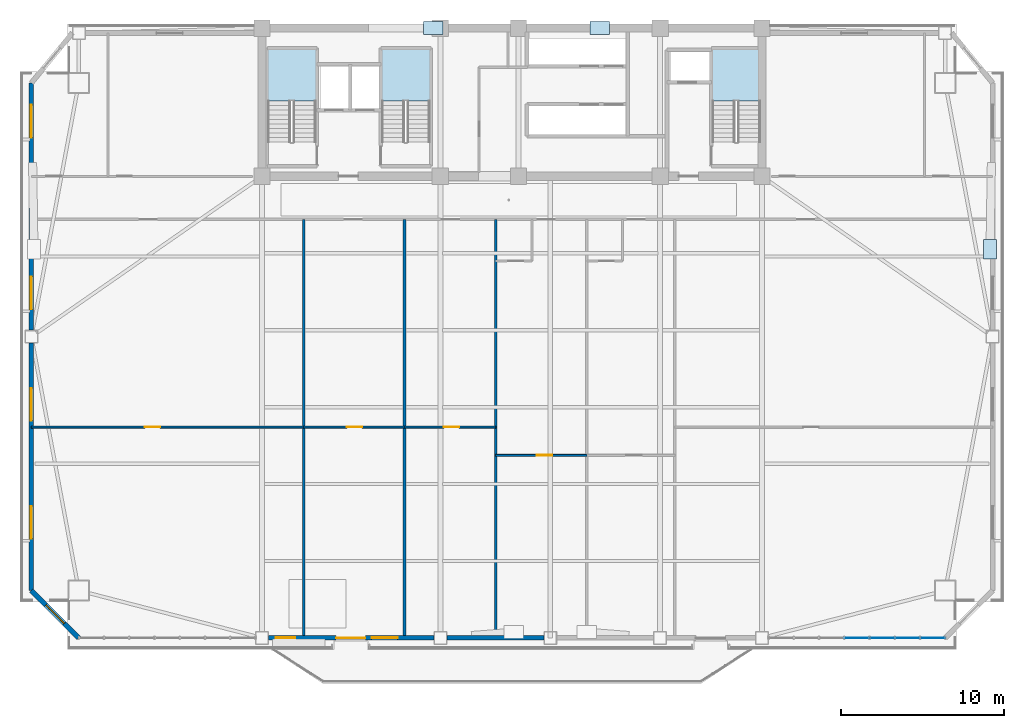
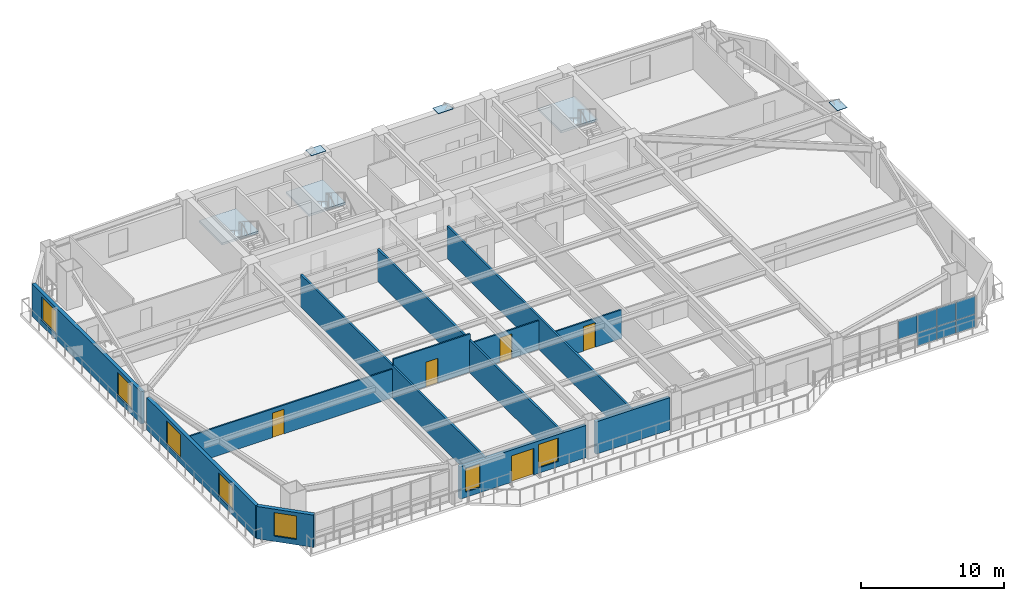
# One storey, part 7 of 16: 12 walls, 10 plates, 7 windows, 5 doors, 3 slabs, 12 openings, 4 elements without a shape of their own.
"""IFC4 building model written with IfcOpenShell, lengths in metres."""

from ifc_helpers import new_model, si_unit, direction, frame, frame_2d, origin, origin_2d, place, context, subcontext, project, spatial, polyline, rectangle, outline, extrude, source, transform, mapped, material, layer, layer_set, type_object, element, fill, aggregate, save


model = new_model("IFC4")

# Units and contexts
model_context = context("Model", 3, precision=1e-05, world=origin(), true_north=direction((0.0, 1.0)))
body_context = subcontext(model_context, "Body", "Model", "MODEL_VIEW")
ifc_project = project(units=[si_unit("LENGTHUNIT", "METRE"), si_unit("AREAUNIT", "SQUARE_METRE"), si_unit("VOLUMEUNIT", "CUBIC_METRE"), si_unit("PLANEANGLEUNIT", "RADIAN"), si_unit("MASSUNIT", "GRAM", prefix="KILO")], contexts=[model_context])

# Site, building, storey
site_placement = place(None, origin())
site = spatial("IfcSite", under=ifc_project, at=site_placement, CompositionType="ELEMENT")
building_placement = place(site_placement, origin())
building = spatial("IfcBuilding", under=site, at=building_placement, Name="Giltprow Tower", CompositionType="ELEMENT")
storey_placement = place(building_placement, frame((0.0, 0.0, 163.199951171875)))
storey = spatial("IfcBuildingStorey", under=building, at=storey_placement, Name="L40", CompositionType="ELEMENT", Elevation=163.199951171875)

# Stair, slab
ifc_material_1 = material(Name="Concrete C40", Category="concrete")
stair_type_1 = type_object("IfcStairType", Name="STR-ST-1", PredefinedType="HALF_TURN_STAIR", material=ifc_material_1)
stair_1_placement = place(storey_placement, origin())
stair_1 = element("IfcStair", 1, at=stair_1_placement, inside=storey, type_object=stair_type_1, Name="L40 Core Exit Stair ST-1", PredefinedType="HALF_TURN_STAIR")
ifc_layer_1 = layer(ifc_material_1, 0.179931640625, Name="Concrete C40")
ifc_layer_set_1 = layer_set([ifc_layer_1], Name="Concrete C40")
slab_type_1 = type_object("IfcSlabType", Name="SLD-ST-1", PredefinedType="LANDING", material=ifc_layer_set_1)
slab_1_placement = place(storey_placement, frame((0.0, 0.0, 1.570068359375)))
slab_1 = element("IfcSlab", 2, at=slab_1_placement, type_object=slab_type_1, Name="ST-1 landing 1", PredefinedType="LANDING", context=body_context, shape_type="SweptSolid", body=[
    extrude(outline(polyline([(23.159912109375, 42.070068359375), (23.159912109375, 45.25), (20.199951171875, 45.25), (20.199951171875, 42.070068359375), (23.159912109375, 42.070068359375)])), origin(), (0.0, 0.0, 1.0), 0.179931640625),
])
aggregate(stair_1, [slab_1])

stair_type_2 = type_object("IfcStairType", Name="STR-ST-2", PredefinedType="HALF_TURN_STAIR", material=ifc_material_1)
stair_2_placement = place(storey_placement, origin())
stair_2 = element("IfcStair", 3, at=stair_2_placement, inside=storey, type_object=stair_type_2, Name="L40 Core Exit Stair ST-2", PredefinedType="HALF_TURN_STAIR")
ifc_layer_2 = layer(ifc_material_1, 0.18798828125, Name="Concrete C40")
ifc_layer_set_2 = layer_set([ifc_layer_2], Name="Concrete C40")
slab_type_2 = type_object("IfcSlabType", Name="SLD-ST-2", PredefinedType="LANDING", material=ifc_layer_set_2)
slab_2_placement = place(storey_placement, frame((0.0, 0.0, 1.56201171875)))
slab_2 = element("IfcSlab", 4, at=slab_2_placement, type_object=slab_type_2, Name="ST-2 landing 1", PredefinedType="LANDING", context=body_context, shape_type="SweptSolid", body=[
    extrude(outline(polyline([(30.159912109375, 42.070068359375), (30.159912109375, 45.25), (27.199951171875, 45.25), (27.199951171875, 42.070068359375), (30.159912109375, 42.070068359375)])), origin(), (0.0, 0.0, 1.0), 0.18798828125),
])
aggregate(stair_2, [slab_2])

stair_type_3 = type_object("IfcStairType", Name="STR-ST-3", PredefinedType="HALF_TURN_STAIR", material=ifc_material_1)
stair_3_placement = place(storey_placement, origin())
stair_3 = element("IfcStair", 5, at=stair_3_placement, inside=storey, type_object=stair_type_3, Name="L40 Core Exit Stair ST-3", PredefinedType="HALF_TURN_STAIR")
ifc_layer_3 = layer(ifc_material_1, 0.196044921875, Name="Concrete C40")
ifc_layer_set_3 = layer_set([ifc_layer_3], Name="Concrete C40")
slab_type_3 = type_object("IfcSlabType", Name="SLD-ST-3", PredefinedType="LANDING", material=ifc_layer_set_3)
slab_3_placement = place(storey_placement, frame((0.0, 0.0, 1.553955078125)))
slab_3 = element("IfcSlab", 6, at=slab_3_placement, type_object=slab_type_3, Name="ST-3 landing 1", PredefinedType="LANDING", context=body_context, shape_type="SweptSolid", body=[
    extrude(outline(polyline([(50.4599609375, 42.070068359375), (50.4599609375, 45.25), (47.5, 45.25), (47.5, 42.070068359375), (50.4599609375, 42.070068359375)])), origin(), (0.0, 0.0, 1.0), 0.196044921875),
])
aggregate(stair_3, [slab_3])

# Plates
ifc_material_2 = material(Name="Structural steel Q420GJC", Category="steel")
plate_type_1 = type_object("IfcPlateType", Name="PLT-CAP-SEAL", PredefinedType="USERDEFINED", material=ifc_material_2)
shared_shape_1 = source(origin(), body_context, "Body", "SweptSolid", [
    extrude(rectangle(XDim=1.199951171875, YDim=0.800048828125, at=origin_2d()), origin(), (0.0, 0.0, 1.0), 0.034912109375),
])
for number, where, z_axis, x_axis, name in (
    (7, (30.35009765625, 46.550048828125, 3.3427734375), (0.0, 0.0, 1.0), (1.0, 0.0, 0.0), "Mega-Brace Node L40-N-LB"),
    (8, (40.5830078125, 46.550048828125, 3.3427734375), (0.0, 0.0, 1.0), (1.0, 0.0, 0.0), "Mega-Brace Node L40-N-RB"),
    (9, (64.55908203125, 32.970947265625, 3.482421875), (0.0, 0.0, 1.0), (0.0, 1.0, 0.0), "Mega-Brace Node L40-E-RB"),
):
    element("IfcPlate", number, at=place(storey_placement, frame(where, z_axis=z_axis, x_axis=x_axis)), inside=storey, type_object=plate_type_1, Name=name, ObjectType="SPLICE", PredefinedType="USERDEFINED", context=body_context, shape_type="MappedRepresentation", body=[
        mapped(shared_shape_1, transform((0.0, 0.0, 0.0), x_axis=(1.0, 0.0, 0.0), y_axis=(0.0, 1.0, 0.0), z_axis=(0.0, 0.0, 1.0), scale=1.0)),
    ])

# Curtain wall, plates
ifc_material_3 = material(Name="Anodized bronze", Category="metal")
ifc_layer_4 = layer(ifc_material_3, 0.179931640625, Name="Anodized bronze")
ifc_layer_set_4 = layer_set([ifc_layer_4], Name="Anodized bronze")
curtain_wall_type = type_object("IfcCurtainWallType", Name="CW-HTL-BRONZE", PredefinedType="NOTDEFINED", material=ifc_layer_set_4)
curtain_wall_placement = place(storey_placement, origin())
curtain_wall = element("IfcCurtainWall", 10, at=curtain_wall_placement, inside=storey, type_object=curtain_wall_type, Name="L40 South Recessed Curtain Wall 6", PredefinedType="NOTDEFINED")
ifc_material_4 = material(Name="Insulated glass", Category="glass")
plate_type_2 = type_object("IfcPlateType", Name="CW-PANEL-IGU-28", PredefinedType="CURTAIN_PANEL", material=ifc_material_4)
shared_shape_2 = source(origin(), body_context, "Body", "SweptSolid", [
    extrude(rectangle(XDim=1.52001953125, YDim=0.028076171875, at=origin_2d()), origin(), (0.0, 0.0, 1.0), 1.0869140625),
])
plate_1_placement = place(storey_placement, frame((57.927001953125, 9.097900390625, 0.0546875), z_axis=(0.0, 0.0, 1.0), x_axis=(1.0, 0.0, 0.0)))
plate_1 = element("IfcPlate", 11, at=plate_1_placement, type_object=plate_type_2, Name="L40 South Recessed Curtain Wall 6 Glazing Panel 5-1", PredefinedType="CURTAIN_PANEL", context=body_context, shape_type="MappedRepresentation", body=[
    mapped(shared_shape_2, transform((0.0, 0.0, 0.0), x_axis=(1.0, 0.0, 0.0), y_axis=(0.0, 1.0, 0.0), z_axis=(0.0, 0.0, 1.0), scale=1.0)),
])
plate_2_placement = place(storey_placement, frame((59.47705078125, 9.097900390625, 0.0546875), z_axis=(0.0, 0.0, 1.0), x_axis=(1.0, 0.0, 0.0)))
plate_2 = element("IfcPlate", 12, at=plate_2_placement, type_object=plate_type_2, Name="L40 South Recessed Curtain Wall 6 Glazing Panel 6-1", PredefinedType="CURTAIN_PANEL", context=body_context, shape_type="MappedRepresentation", body=[
    mapped(shared_shape_2, transform((0.0, 0.0, 0.0), x_axis=(1.0, 0.0, 0.0), y_axis=(0.0, 1.0, 0.0), z_axis=(0.0, 0.0, 1.0), scale=1.0)),
])
plate_3_placement = place(storey_placement, frame((61.028076171875, 9.097900390625, 0.0546875), z_axis=(0.0, 0.0, 1.0), x_axis=(1.0, 0.0, 0.0)))
plate_3 = element("IfcPlate", 13, at=plate_3_placement, type_object=plate_type_2, Name="L40 South Recessed Curtain Wall 6 Glazing Panel 7-1", PredefinedType="CURTAIN_PANEL", context=body_context, shape_type="MappedRepresentation", body=[
    mapped(shared_shape_2, transform((0.0, 0.0, 0.0), x_axis=(1.0, 0.0, 0.0), y_axis=(0.0, 1.0, 0.0), z_axis=(0.0, 0.0, 1.0), scale=1.0)),
])
shared_shape_3 = source(origin(), body_context, "Body", "SweptSolid", [
    extrude(rectangle(XDim=1.52001953125, YDim=0.028076171875, at=origin_2d()), origin(), (0.0, 0.0, 1.0), 1.527099609375),
])
plate_4_placement = place(storey_placement, frame((56.376953125, 9.097900390625, 1.16845703125), z_axis=(0.0, 0.0, 1.0), x_axis=(1.0, 0.0, 0.0)))
plate_4 = element("IfcPlate", 14, at=plate_4_placement, type_object=plate_type_2, Name="L40 South Recessed Curtain Wall 6 Glazing Panel 4-2", PredefinedType="CURTAIN_PANEL", context=body_context, shape_type="MappedRepresentation", body=[
    mapped(shared_shape_3, transform((0.0, 0.0, 0.0), x_axis=(1.0, 0.0, 0.0), y_axis=(0.0, 1.0, 0.0), z_axis=(0.0, 0.0, 1.0), scale=1.0)),
])
plate_5_placement = place(storey_placement, frame((57.927001953125, 9.097900390625, 1.16845703125), z_axis=(0.0, 0.0, 1.0), x_axis=(1.0, 0.0, 0.0)))
plate_5 = element("IfcPlate", 15, at=plate_5_placement, type_object=plate_type_2, Name="L40 South Recessed Curtain Wall 6 Glazing Panel 5-2", PredefinedType="CURTAIN_PANEL", context=body_context, shape_type="MappedRepresentation", body=[
    mapped(shared_shape_3, transform((0.0, 0.0, 0.0), x_axis=(1.0, 0.0, 0.0), y_axis=(0.0, 1.0, 0.0), z_axis=(0.0, 0.0, 1.0), scale=1.0)),
])
plate_6_placement = place(storey_placement, frame((59.47705078125, 9.097900390625, 1.16845703125), z_axis=(0.0, 0.0, 1.0), x_axis=(1.0, 0.0, 0.0)))
plate_6 = element("IfcPlate", 16, at=plate_6_placement, type_object=plate_type_2, Name="L40 South Recessed Curtain Wall 6 Glazing Panel 6-2", PredefinedType="CURTAIN_PANEL", context=body_context, shape_type="MappedRepresentation", body=[
    mapped(shared_shape_3, transform((0.0, 0.0, 0.0), x_axis=(1.0, 0.0, 0.0), y_axis=(0.0, 1.0, 0.0), z_axis=(0.0, 0.0, 1.0), scale=1.0)),
])
plate_7_placement = place(storey_placement, frame((61.028076171875, 9.097900390625, 1.16845703125), z_axis=(0.0, 0.0, 1.0), x_axis=(1.0, 0.0, 0.0)))
plate_7 = element("IfcPlate", 17, at=plate_7_placement, type_object=plate_type_2, Name="L40 South Recessed Curtain Wall 6 Glazing Panel 7-2", PredefinedType="CURTAIN_PANEL", context=body_context, shape_type="MappedRepresentation", body=[
    mapped(shared_shape_3, transform((0.0, 0.0, 0.0), x_axis=(1.0, 0.0, 0.0), y_axis=(0.0, 1.0, 0.0), z_axis=(0.0, 0.0, 1.0), scale=1.0)),
])
aggregate(curtain_wall, [plate_4, plate_1, plate_5, plate_2, plate_6, plate_3, plate_7])

# Wall, opening, window
ifc_material_5 = material(Name="Precast concrete C40", Category="concrete")
ifc_layer_5 = layer(ifc_material_5, 0.300048828125, Name="Precast concrete C40")
ifc_layer_set_5 = layer_set([ifc_layer_5], Name="Precast concrete C40")
wall_type_1 = type_object("IfcWallType", Name="EW-NOTCH-CHAMFER-300", PredefinedType="SOLIDWALL", material=ifc_layer_set_5)
wall_1_placement = place(storey_placement, frame((5.68408203125, 12.010986328125, 0.0), z_axis=(0.0, 0.0, 1.0), x_axis=(0.707077148634, -0.707136412497, 0.0)))
wall_1 = element("IfcWall", 18, at=wall_1_placement, inside=storey, type_object=wall_type_1, Name="L40 Corner Notch Wall SW", PredefinedType="SOLIDWALL", context=body_context, shape_type="SweptSolid", body=[
    extrude(rectangle(XDim=4.11962890625, YDim=0.300048828125, at=frame_2d((2.059814453125, 0.0))), origin(), (0.0, 0.0, 1.0), 2.75),
])
opening_1_placement = place(wall_1_placement, frame((1.260009765625, 0.0, 0.449951171875)))
opening_1 = element("IfcOpeningElement", 19, at=opening_1_placement, cuts=wall_1, Name="Opening WN17", PredefinedType="OPENING", context=body_context, shape_type="SweptSolid", body=[
    extrude(rectangle(XDim=1.60009765625, YDim=2.0, at=frame_2d((0.800048828125, 1.0))), frame((0.0, 0.159912109375, 0.0), z_axis=(0.0, -1.0, 0.0), x_axis=(1.0, 0.0, 0.0)), (0.0, 0.0, 1.0), 0.320068359375),
])
window_type_1 = type_object("IfcWindowType", Name="WN-COR-1600x2000", PartitioningType="SINGLE_PANEL", PredefinedType="WINDOW", material=ifc_material_4)
shared_shape_4 = source(origin(), body_context, "Body", "SweptSolid", [
    extrude(rectangle(XDim=1.60009765625, YDim=2.0, at=frame_2d((0.800048828125, 1.0))), frame((0.0, 0.030029296875, 0.0), z_axis=(0.0, -1.0, 0.0), x_axis=(1.0, 0.0, 0.0)), (0.0, 0.0, 1.0), 0.06005859375),
])
window_1_placement = place(opening_1_placement, origin())
window_1 = element("IfcWindow", 20, at=window_1_placement, inside=storey, type_object=window_type_1, Name="L40 Corner Notch Window SW", OverallHeight=2.0, OverallWidth=1.60009765625, PartitioningType="SINGLE_PANEL", PredefinedType="WINDOW", context=body_context, shape_type="MappedRepresentation", body=[
    mapped(shared_shape_4, transform((0.0, 0.0, 0.0), x_axis=(1.0, 0.0, 0.0), y_axis=(0.0, 1.0, 0.0), z_axis=(0.0, 0.0, 1.0), scale=1.0)),
])
fill(opening_1, window_1)

# Wall, openings, windows, door
ifc_layer_6 = layer(ifc_material_5, 0.280029296875, Name="Precast concrete C40")
ifc_layer_set_6 = layer_set([ifc_layer_6], Name="Precast concrete C40")
wall_type_2 = type_object("IfcWallType", Name="EW-TOW-BRONZE-280", PredefinedType="SOLIDWALL", material=ifc_layer_set_6)
wall_2_placement = place(storey_placement, frame((20.25, 9.097900390625, 0.0), z_axis=(0.0, 0.0, 1.0), x_axis=(1.0, 0.0, 0.0)))
wall_2 = element("IfcWall", 21, at=wall_2_placement, inside=storey, type_object=wall_type_2, Name="L40 South Expressed Frame Wall 2", PredefinedType="SOLIDWALL", context=body_context, shape_type="SweptSolid", body=[
    extrude(rectangle(XDim=10.14990234375, YDim=0.280029296875, at=frame_2d((5.074951171875, 0.0))), origin(), (0.0, 0.0, 1.0), 2.75),
])
opening_2_placement = place(wall_2_placement, frame((4.14990234375, 0.0, 0.0)))
opening_2 = element("IfcOpeningElement", 22, at=opening_2_placement, cuts=wall_2, Name="Opening ED25", PredefinedType="OPENING", context=body_context, shape_type="SweptSolid", body=[
    extrude(rectangle(XDim=1.800048828125, YDim=2.25, at=frame_2d((0.89990234375, 1.125))), frame((0.0, 0.14990234375, 0.0), z_axis=(0.0, -1.0, 0.0), x_axis=(1.0, 0.0, 0.0)), (0.0, 0.0, 1.0), 0.300048828125),
])
opening_3_placement = place(wall_2_placement, frame((0.429931640625, 0.0, 0.449951171875)))
opening_3 = element("IfcOpeningElement", 23, at=opening_3_placement, cuts=wall_2, Name="Opening WN11", PredefinedType="OPENING", context=body_context, shape_type="SweptSolid", body=[
    extrude(rectangle(XDim=1.199951171875, YDim=2.0, at=frame_2d((0.60009765625, 1.0))), frame((0.0, 0.14990234375, 0.0), z_axis=(0.0, -1.0, 0.0), x_axis=(1.0, 0.0, 0.0)), (0.0, 0.0, 1.0), 0.300048828125),
])
opening_4_placement = place(wall_2_placement, frame((6.330078125, 0.0, 0.449951171875)))
opening_4 = element("IfcOpeningElement", 24, at=opening_4_placement, cuts=wall_2, Name="Opening WN17", PredefinedType="OPENING", context=body_context, shape_type="SweptSolid", body=[
    extrude(rectangle(XDim=1.60009765625, YDim=2.0, at=frame_2d((0.800048828125, 1.0))), frame((0.0, 0.14990234375, 0.0), z_axis=(0.0, -1.0, 0.0), x_axis=(1.0, 0.0, 0.0)), (0.0, 0.0, 1.0), 0.300048828125),
])
window_2_placement = place(opening_4_placement, origin())
window_2 = element("IfcWindow", 25, at=window_2_placement, inside=storey, type_object=window_type_1, Name="L40 South Window 2B", OverallHeight=2.0, OverallWidth=1.60009765625, PartitioningType="SINGLE_PANEL", PredefinedType="WINDOW", context=body_context, shape_type="MappedRepresentation", body=[
    mapped(shared_shape_4, transform((0.0, 0.0, 0.0), x_axis=(1.0, 0.0, 0.0), y_axis=(0.0, 1.0, 0.0), z_axis=(0.0, 0.0, 1.0), scale=1.0)),
])
fill(opening_4, window_2)
ifc_material_6 = material(Name="Anodized bronze and glass", Category="glass")
door_type_1 = type_object("IfcDoorType", Name="DR-BALC-SLIDE-1800", OperationType="SLIDING_TO_LEFT", PredefinedType="DOOR", material=ifc_material_6)
shared_shape_5 = source(origin(), body_context, "Body", "SweptSolid", [
    extrude(rectangle(XDim=1.800048828125, YDim=2.25, at=frame_2d((0.89990234375, 1.125))), frame((0.0, 0.02490234375, 0.0), z_axis=(0.0, -1.0, 0.0), x_axis=(1.0, 0.0, 0.0)), (0.0, 0.0, 1.0), 0.050048828125),
])
door_1_placement = place(opening_2_placement, origin())
door_1 = element("IfcDoor", 26, at=door_1_placement, inside=storey, type_object=door_type_1, Name="L40 Waterfront Balcony Sliding Door 1", OperationType="SLIDING_TO_LEFT", OverallHeight=2.25, OverallWidth=1.800048828125, PredefinedType="DOOR", context=body_context, shape_type="MappedRepresentation", body=[
    mapped(shared_shape_5, transform((0.0, 0.0, 0.0), x_axis=(1.0, 0.0, 0.0), y_axis=(0.0, 1.0, 0.0), z_axis=(0.0, 0.0, 1.0), scale=1.0)),
])
fill(opening_2, door_1)
window_type_2 = type_object("IfcWindowType", Name="WN-LANCET-1200x2000", PartitioningType="SINGLE_PANEL", PredefinedType="WINDOW", material=ifc_material_4)
shared_shape_6 = source(origin(), body_context, "Body", "SweptSolid", [
    extrude(rectangle(XDim=1.199951171875, YDim=2.0, at=frame_2d((0.60009765625, 1.0))), frame((0.0, 0.030029296875, 0.0), z_axis=(0.0, -1.0, 0.0), x_axis=(1.0, 0.0, 0.0)), (0.0, 0.0, 1.0), 0.06005859375),
])
window_3_placement = place(opening_3_placement, origin())
window_3 = element("IfcWindow", 27, at=window_3_placement, inside=storey, type_object=window_type_2, Name="L40 South Window 2A", OverallHeight=2.0, OverallWidth=1.199951171875, PartitioningType="SINGLE_PANEL", PredefinedType="WINDOW", context=body_context, shape_type="MappedRepresentation", body=[
    mapped(shared_shape_6, transform((0.0, 0.0, 0.0), x_axis=(1.0, 0.0, 0.0), y_axis=(0.0, 1.0, 0.0), z_axis=(0.0, 0.0, 1.0), scale=1.0)),
])
fill(opening_3, window_3)

# Wall
wall_3_placement = place(storey_placement, frame((31.199951171875, 9.097900390625, 0.0), z_axis=(0.0, 0.0, 1.0), x_axis=(1.0, 0.0, 0.0)))
element("IfcWall", 28, at=wall_3_placement, inside=storey, type_object=wall_type_2, Name="L40 South Expressed Frame Wall 3", PredefinedType="SOLIDWALL", context=body_context, shape_type="SweptSolid", body=[
    extrude(rectangle(XDim=5.949951171875, YDim=0.280029296875, at=frame_2d((2.97509765625, 0.0))), origin(), (0.0, 0.0, 1.0), 2.75),
])

# Wall, openings, windows
wall_4_placement = place(storey_placement, frame((5.68408203125, 12.010986328125, 0.0), z_axis=(0.0, 0.0, 1.0), x_axis=(0.0, 1.0, 0.0)))
wall_4 = element("IfcWall", 29, at=wall_4_placement, inside=storey, type_object=wall_type_2, Name="L40 W Wing Masonry Wall 1", PredefinedType="SOLIDWALL", context=body_context, shape_type="SweptSolid", body=[
    extrude(rectangle(XDim=15.18798828125, YDim=0.280029296875, at=frame_2d((7.593994140625, 0.0))), origin(), (0.0, 0.0, 1.0), 2.75),
])
opening_5_placement = place(wall_4_placement, frame((3.18896484375, 0.0, 0.449951171875)))
opening_5 = element("IfcOpeningElement", 30, at=opening_5_placement, cuts=wall_4, Name="Opening WN21", PredefinedType="OPENING", context=body_context, shape_type="SweptSolid", body=[
    extrude(rectangle(XDim=2.0, YDim=2.0, at=frame_2d((1.0, 1.0))), frame((0.0, 0.14990234375, 0.0), z_axis=(0.0, -1.0, 0.0), x_axis=(1.0, 0.0, 0.0)), (0.0, 0.0, 1.0), 0.300048828125),
])
opening_6_placement = place(wall_4_placement, frame((10.43798828125, 0.0, 0.449951171875)))
opening_6 = element("IfcOpeningElement", 31, at=opening_6_placement, cuts=wall_4, Name="Opening WN21", PredefinedType="OPENING", context=body_context, shape_type="SweptSolid", body=[
    extrude(rectangle(XDim=2.0, YDim=2.0, at=frame_2d((1.0, 1.0))), frame((0.0, 0.14990234375, 0.0), z_axis=(0.0, -1.0, 0.0), x_axis=(1.0, 0.0, 0.0)), (0.0, 0.0, 1.0), 0.300048828125),
])
window_type_3 = type_object("IfcWindowType", Name="WN-HTL-2000x2000", PartitioningType="DOUBLE_PANEL_VERTICAL", PredefinedType="WINDOW", material=ifc_material_4)
shared_shape_7 = source(origin(), body_context, "Body", "SweptSolid", [
    extrude(rectangle(XDim=2.0, YDim=2.0, at=frame_2d((1.0, 1.0))), frame((0.0, 0.030029296875, 0.0), z_axis=(0.0, -1.0, 0.0), x_axis=(1.0, 0.0, 0.0)), (0.0, 0.0, 1.0), 0.06005859375),
])
window_4_placement = place(opening_5_placement, origin())
window_4 = element("IfcWindow", 32, at=window_4_placement, inside=storey, type_object=window_type_3, Name="L40 W Wing Window 1-1A", OverallHeight=2.0, OverallWidth=2.0, PartitioningType="SINGLE_PANEL", PredefinedType="WINDOW", context=body_context, shape_type="MappedRepresentation", body=[
    mapped(shared_shape_7, transform((0.0, 0.0, 0.0), x_axis=(1.0, 0.0, 0.0), y_axis=(0.0, 1.0, 0.0), z_axis=(0.0, 0.0, 1.0), scale=1.0)),
])
fill(opening_5, window_4)
window_5_placement = place(opening_6_placement, origin())
window_5 = element("IfcWindow", 33, at=window_5_placement, inside=storey, type_object=window_type_3, Name="L40 W Wing Window 1-1B", OverallHeight=2.0, OverallWidth=2.0, PartitioningType="SINGLE_PANEL", PredefinedType="WINDOW", context=body_context, shape_type="MappedRepresentation", body=[
    mapped(shared_shape_7, transform((0.0, 0.0, 0.0), x_axis=(1.0, 0.0, 0.0), y_axis=(0.0, 1.0, 0.0), z_axis=(0.0, 0.0, 1.0), scale=1.0)),
])
fill(opening_6, window_5)

wall_5_placement = place(storey_placement, frame((5.68408203125, 27.9990234375, 0.0), z_axis=(0.0, 0.0, 1.0), x_axis=(0.0, 1.0, 0.0)))
wall_5 = element("IfcWall", 34, at=wall_5_placement, inside=storey, type_object=wall_type_2, Name="L40 W Wing Masonry Wall 2", PredefinedType="SOLIDWALL", context=body_context, shape_type="SweptSolid", body=[
    extrude(rectangle(XDim=15.18798828125, YDim=0.280029296875, at=frame_2d((7.593994140625, 0.0))), origin(), (0.0, 0.0, 1.0), 2.75),
])
opening_7_placement = place(wall_5_placement, frame((1.285888671875, 0.0, 0.449951171875)))
opening_7 = element("IfcOpeningElement", 35, at=opening_7_placement, cuts=wall_5, Name="Opening WN21", PredefinedType="OPENING", context=body_context, shape_type="SweptSolid", body=[
    extrude(rectangle(XDim=2.0, YDim=2.0, at=frame_2d((1.0, 1.0))), frame((0.0, 0.14990234375, 0.0), z_axis=(0.0, -1.0, 0.0), x_axis=(1.0, 0.0, 0.0)), (0.0, 0.0, 1.0), 0.300048828125),
])
opening_8_placement = place(wall_5_placement, frame((11.833984375, 0.0, 0.449951171875)))
opening_8 = element("IfcOpeningElement", 36, at=opening_8_placement, cuts=wall_5, Name="Opening WN21", PredefinedType="OPENING", context=body_context, shape_type="SweptSolid", body=[
    extrude(rectangle(XDim=2.0, YDim=2.0, at=frame_2d((1.0, 1.0))), frame((0.0, 0.14990234375, 0.0), z_axis=(0.0, -1.0, 0.0), x_axis=(1.0, 0.0, 0.0)), (0.0, 0.0, 1.0), 0.300048828125),
])
window_6_placement = place(opening_7_placement, origin())
window_6 = element("IfcWindow", 37, at=window_6_placement, inside=storey, type_object=window_type_3, Name="L40 W Wing Window 2-1", OverallHeight=2.0, OverallWidth=2.0, PartitioningType="SINGLE_PANEL", PredefinedType="WINDOW", context=body_context, shape_type="MappedRepresentation", body=[
    mapped(shared_shape_7, transform((0.0, 0.0, 0.0), x_axis=(1.0, 0.0, 0.0), y_axis=(0.0, 1.0, 0.0), z_axis=(0.0, 0.0, 1.0), scale=1.0)),
])
fill(opening_7, window_6)
window_7_placement = place(opening_8_placement, origin())
window_7 = element("IfcWindow", 38, at=window_7_placement, inside=storey, type_object=window_type_3, Name="L40 W Wing Window 2-2", OverallHeight=2.0, OverallWidth=2.0, PartitioningType="SINGLE_PANEL", PredefinedType="WINDOW", context=body_context, shape_type="MappedRepresentation", body=[
    mapped(shared_shape_7, transform((0.0, 0.0, 0.0), x_axis=(1.0, 0.0, 0.0), y_axis=(0.0, 1.0, 0.0), z_axis=(0.0, 0.0, 1.0), scale=1.0)),
])
fill(opening_8, window_7)

# Walls
ifc_material_7 = material(Name="Gypsum stud partition", Category="gypsum")
ifc_layer_7 = layer(ifc_material_7, 0.159912109375, Name="Gypsum stud partition")
ifc_layer_set_7 = layer_set([ifc_layer_7], Name="Gypsum stud partition")
wall_type_3 = type_object("IfcWallType", Name="IW-DEMISE-160", PredefinedType="PARTITIONING", material=ifc_layer_set_7)
for number, where, z_axis, x_axis, name in (
    (39, (22.39990234375, 9.097900390625, 0.0), (0.0, 0.0, 1.0), (0.0, 1.0, 0.0), "L40 Hotel Demising Wall 1"),
    (40, (28.60009765625, 9.097900390625, 0.0), (0.0, 0.0, 1.0), (0.0, 1.0, 0.0), "L40 Hotel Demising Wall 2"),
    (41, (34.199951171875, 9.097900390625, 0.0), (0.0, 0.0, 1.0), (0.0, 1.0, 0.0), "L40 Hotel Demising Wall 3"),
):
    element("IfcWall", number, at=place(storey_placement, frame(where, z_axis=z_axis, x_axis=x_axis)), inside=storey, type_object=wall_type_3, Name=name, PredefinedType="PARTITIONING", context=body_context, shape_type="SweptSolid", body=[
        extrude(rectangle(XDim=25.7021484375, YDim=0.159912109375, at=frame_2d((12.85107421875, 0.0))), origin(), (0.0, 0.0, 1.0), 2.755126953125),
    ])

# Wall, opening, door
ifc_layer_8 = layer(ifc_material_7, 0.1201171875, Name="Gypsum stud partition")
ifc_layer_set_8 = layer_set([ifc_layer_8], Name="Gypsum stud partition")
wall_type_4 = type_object("IfcWallType", Name="IW-ROOM-120", PredefinedType="PARTITIONING", material=ifc_layer_set_8)
wall_6_placement = place(storey_placement, frame((5.68408203125, 22.049072265625, 0.0), z_axis=(0.0, 0.0, 1.0), x_axis=(1.0, 0.0, 0.0)))
wall_6 = element("IfcWall", 42, at=wall_6_placement, inside=storey, type_object=wall_type_4, Name="L40 Amenity Mid Wall 1", PredefinedType="PARTITIONING", context=body_context, shape_type="SweptSolid", body=[
    extrude(rectangle(XDim=16.7158203125, YDim=0.1201171875, at=frame_2d((8.35791015625, 0.0))), origin(), (0.0, 0.0, 1.0), 2.455078125),
])
opening_9_placement = place(wall_6_placement, frame((6.971923828125, 0.0, 0.0)))
opening_9 = element("IfcOpeningElement", 43, at=opening_9_placement, cuts=wall_6, Name="Opening ID11", PredefinedType="OPENING", context=body_context, shape_type="SweptSolid", body=[
    extrude(rectangle(XDim=0.949951171875, YDim=2.10009765625, at=frame_2d((0.47509765625, 1.050048828125))), frame((0.0, 0.070068359375, 0.0), z_axis=(0.0, -1.0, 0.0), x_axis=(1.0, 0.0, 0.0)), (0.0, 0.0, 1.0), 0.14013671875),
])
ifc_material_8 = material(Name="Engineered timber", Category="wood")
door_type_2 = type_object("IfcDoorType", Name="DR-ROOM-950", OperationType="SINGLE_SWING_RIGHT", PredefinedType="DOOR", material=ifc_material_8)
shared_shape_8 = source(origin(), body_context, "Body", "SweptSolid", [
    extrude(rectangle(XDim=0.949951171875, YDim=2.10009765625, at=frame_2d((0.47509765625, 1.050048828125))), frame((0.0, 0.02490234375, 0.0), z_axis=(0.0, -1.0, 0.0), x_axis=(1.0, 0.0, 0.0)), (0.0, 0.0, 1.0), 0.050048828125),
])
door_2_placement = place(opening_9_placement, origin())
door_2 = element("IfcDoor", 44, at=door_2_placement, inside=storey, type_object=door_type_2, Name="L40 Hotel Gift Shop 1 Inner Door", OperationType="SINGLE_SWING_LEFT", OverallHeight=2.10009765625, OverallWidth=0.949951171875, PredefinedType="DOOR", context=body_context, shape_type="MappedRepresentation", body=[
    mapped(shared_shape_8, transform((0.0, 0.0, 0.0), x_axis=(1.0, 0.0, 0.0), y_axis=(0.0, 1.0, 0.0), z_axis=(0.0, 0.0, 1.0), scale=1.0)),
])
fill(opening_9, door_2)

wall_7_placement = place(storey_placement, frame((22.39990234375, 22.049072265625, 0.0), z_axis=(0.0, 0.0, 1.0), x_axis=(1.0, 0.0, 0.0)))
wall_7 = element("IfcWall", 45, at=wall_7_placement, inside=storey, type_object=wall_type_4, Name="L40 Amenity Mid Wall 2", PredefinedType="PARTITIONING", context=body_context, shape_type="SweptSolid", body=[
    extrude(rectangle(XDim=6.2001953125, YDim=0.1201171875, at=frame_2d((3.10009765625, 0.0))), origin(), (0.0, 0.0, 1.0), 3.27001953125),
])
opening_10_placement = place(wall_7_placement, frame((2.64599609375, 0.0, 0.0)))
opening_10 = element("IfcOpeningElement", 46, at=opening_10_placement, cuts=wall_7, Name="Opening ID11", PredefinedType="OPENING", context=body_context, shape_type="SweptSolid", body=[
    extrude(rectangle(XDim=0.949951171875, YDim=2.10009765625, at=frame_2d((0.47509765625, 1.050048828125))), frame((0.0, 0.070068359375, 0.0), z_axis=(0.0, -1.0, 0.0), x_axis=(1.0, 0.0, 0.0)), (0.0, 0.0, 1.0), 0.14013671875),
])
door_3_placement = place(opening_10_placement, origin())
door_3 = element("IfcDoor", 47, at=door_3_placement, inside=storey, type_object=door_type_2, Name="L40 Luxury Watch Shop 2 Inner Door", OperationType="SINGLE_SWING_LEFT", OverallHeight=2.10009765625, OverallWidth=0.949951171875, PredefinedType="DOOR", context=body_context, shape_type="MappedRepresentation", body=[
    mapped(shared_shape_8, transform((0.0, 0.0, 0.0), x_axis=(1.0, 0.0, 0.0), y_axis=(0.0, 1.0, 0.0), z_axis=(0.0, 0.0, 1.0), scale=1.0)),
])
fill(opening_10, door_3)

wall_8_placement = place(storey_placement, frame((28.60009765625, 22.049072265625, 0.0), z_axis=(0.0, 0.0, 1.0), x_axis=(1.0, 0.0, 0.0)))
wall_8 = element("IfcWall", 48, at=wall_8_placement, inside=storey, type_object=wall_type_4, Name="L40 Amenity Mid Wall 3", PredefinedType="PARTITIONING", context=body_context, shape_type="SweptSolid", body=[
    extrude(rectangle(XDim=5.599853515625, YDim=0.1201171875, at=frame_2d((2.7998046875, 0.0))), origin(), (0.0, 0.0, 1.0), 2.455078125),
])
opening_11_placement = place(wall_8_placement, frame((2.406005859375, 0.0, 0.0)))
opening_11 = element("IfcOpeningElement", 49, at=opening_11_placement, cuts=wall_8, Name="Opening ID11", PredefinedType="OPENING", context=body_context, shape_type="SweptSolid", body=[
    extrude(rectangle(XDim=0.949951171875, YDim=2.10009765625, at=frame_2d((0.47509765625, 1.050048828125))), frame((0.0, 0.070068359375, 0.0), z_axis=(0.0, -1.0, 0.0), x_axis=(1.0, 0.0, 0.0)), (0.0, 0.0, 1.0), 0.14013671875),
])
door_4_placement = place(opening_11_placement, origin())
door_4 = element("IfcDoor", 50, at=door_4_placement, inside=storey, type_object=door_type_2, Name="L40 Silk Tailor Shop 3 Inner Door", OperationType="SINGLE_SWING_LEFT", OverallHeight=2.10009765625, OverallWidth=0.949951171875, PredefinedType="DOOR", context=body_context, shape_type="MappedRepresentation", body=[
    mapped(shared_shape_8, transform((0.0, 0.0, 0.0), x_axis=(1.0, 0.0, 0.0), y_axis=(0.0, 1.0, 0.0), z_axis=(0.0, 0.0, 1.0), scale=1.0)),
])
fill(opening_11, door_4)

wall_9_placement = place(storey_placement, frame((34.199951171875, 20.31494140625, 0.0), z_axis=(0.0, 0.0, 1.0), x_axis=(1.0, 0.0, 0.0)))
wall_9 = element("IfcWall", 51, at=wall_9_placement, inside=storey, type_object=wall_type_4, Name="L40 Suite Parlour Divider 4", PredefinedType="PARTITIONING", context=body_context, shape_type="SweptSolid", body=[
    extrude(rectangle(XDim=5.60009765625, YDim=0.1201171875, at=frame_2d((2.800048828125, 0.0))), origin(), (0.0, 0.0, 1.0), 2.455078125),
])
opening_12_placement = place(wall_9_placement, frame((2.52490234375, 0.0, 0.0)))
opening_12 = element("IfcOpeningElement", 52, at=opening_12_placement, cuts=wall_9, Name="Opening ID11", PredefinedType="OPENING", context=body_context, shape_type="SweptSolid", body=[
    extrude(rectangle(XDim=0.949951171875, YDim=2.10009765625, at=frame_2d((0.47509765625, 1.050048828125))), frame((0.0, 0.070068359375, 0.0), z_axis=(0.0, -1.0, 0.0), x_axis=(1.0, 0.0, 0.0)), (0.0, 0.0, 1.0), 0.14013671875),
])
door_5_placement = place(opening_12_placement, origin())
door_5 = element("IfcDoor", 53, at=door_5_placement, inside=storey, type_object=door_type_2, Name="L40 Harbour Parlour 4 Door", OperationType="SINGLE_SWING_RIGHT", OverallHeight=2.10009765625, OverallWidth=0.949951171875, PredefinedType="DOOR", context=body_context, shape_type="MappedRepresentation", body=[
    mapped(shared_shape_8, transform((0.0, 0.0, 0.0), x_axis=(1.0, 0.0, 0.0), y_axis=(0.0, 1.0, 0.0), z_axis=(0.0, 0.0, 1.0), scale=1.0)),
])
fill(opening_12, door_5)

save(model, "model.ifc")
